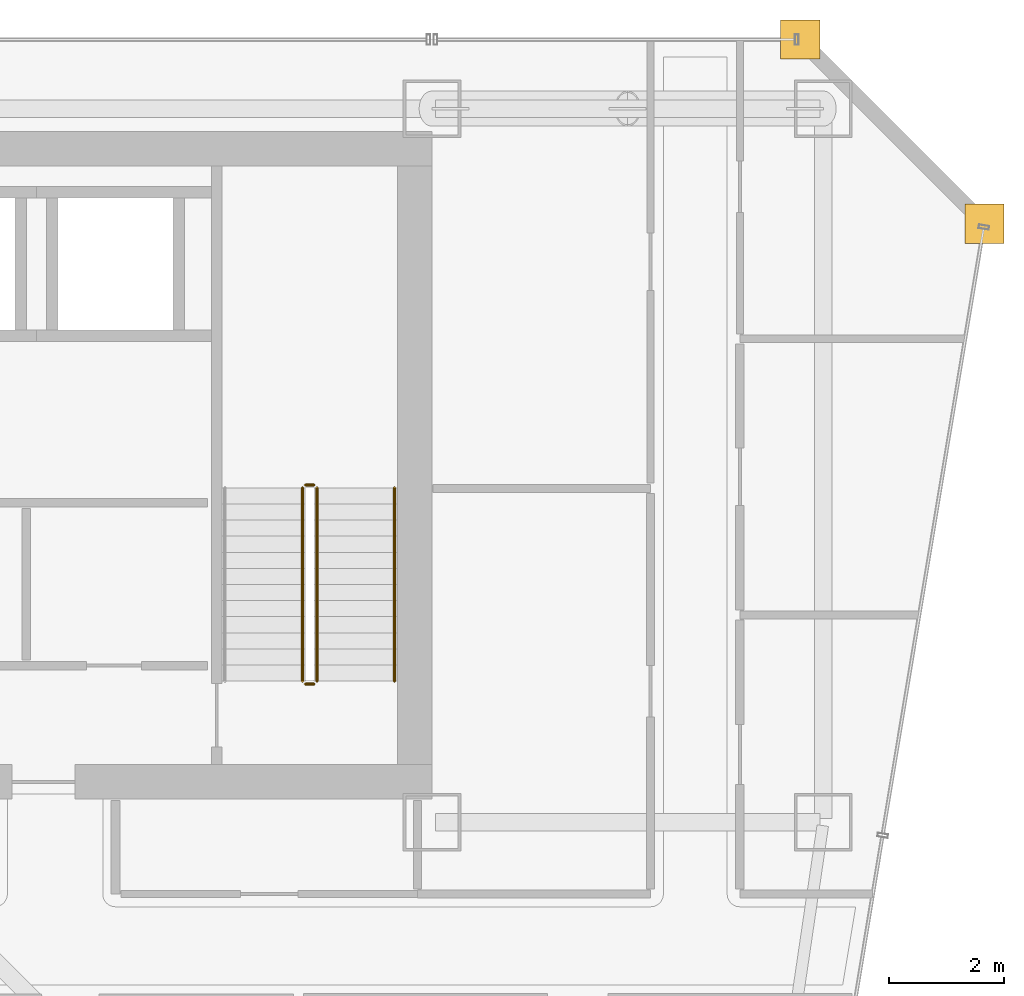
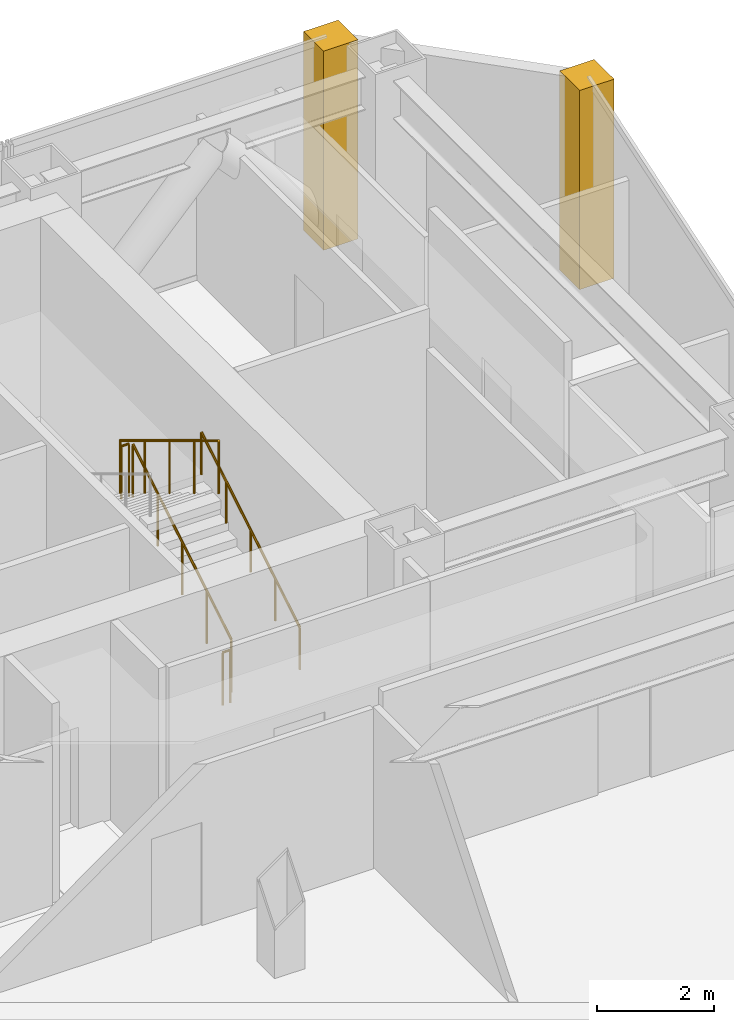
# One storey, part 35 of 35: 5 railings, 2 coverings.
"""IFC4 building model written with IfcOpenShell, lengths in metres."""

from ifc_helpers import new_model, si_unit, direction, frame, origin, origin_2d, place, context, subcontext, project, spatial, polyline, circle, outline, extrude, material, layer, layer_set, type_object, element, save


model = new_model("IFC4")

# Units and contexts
model_context = context("Model", 3, precision=1e-05, world=origin(), true_north=direction((0.0, 1.0)))
body_context = subcontext(model_context, "Body", "Model", "MODEL_VIEW")
ifc_project = project(units=[si_unit("LENGTHUNIT", "METRE"), si_unit("AREAUNIT", "SQUARE_METRE"), si_unit("VOLUMEUNIT", "CUBIC_METRE"), si_unit("PLANEANGLEUNIT", "RADIAN"), si_unit("MASSUNIT", "GRAM", prefix="KILO")], contexts=[model_context])

# Site, building, storey
site_placement = place(None, origin())
site = spatial("IfcSite", under=ifc_project, at=site_placement, CompositionType="ELEMENT")
building_placement = place(site_placement, origin())
building = spatial("IfcBuilding", under=site, at=building_placement, Name="Saevonmaru Cultural Tower", CompositionType="ELEMENT")
storey_placement = place(building_placement, frame((0.0, 0.0, 101.60009765625)))
storey = spatial("IfcBuildingStorey", under=building, at=storey_placement, Name="L21", CompositionType="ELEMENT", Elevation=101.60009765625)

# Coverings
ifc_material_1 = material(Name="Satin Bronze Anodised Aluminium", Category="aluminium")
ifc_layer = layer(ifc_material_1, 0.679931640625, Name="Satin Bronze Anodised Aluminium")
ifc_layer_set = layer_set([ifc_layer], Name="Satin Bronze Anodised Aluminium")
covering_type = type_object("IfcCoveringType", Name="CV-CORNER-CLAD", PredefinedType="CLADDING", material=ifc_layer_set)
covering_1_placement = place(storey_placement, origin())
element("IfcCovering", 1, at=covering_1_placement, inside=storey, type_object=covering_type, Name="L21 Tower Bronze Corner Cladding Pier 9", PredefinedType="CLADDING", context=body_context, shape_type="SweptSolid", body=[
    extrude(outline(polyline([(55.659912109375, 52.4599609375), (56.340087890625, 52.4599609375), (56.340087890625, 53.139892578125), (55.659912109375, 53.139892578125), (55.659912109375, 52.4599609375)])), origin(), (0.0, 0.0, 1.0), 4.14990234375),
])
covering_2_placement = place(storey_placement, origin())
element("IfcCovering", 2, at=covering_2_placement, inside=storey, type_object=covering_type, Name="L21 Tower Bronze Corner Cladding Pier 10", PredefinedType="CLADDING", context=body_context, shape_type="SweptSolid", body=[
    extrude(outline(polyline([(52.4599609375, 55.659912109375), (53.139892578125, 55.659912109375), (53.139892578125, 56.340087890625), (52.4599609375, 56.340087890625), (52.4599609375, 55.659912109375)])), origin(), (0.0, 0.0, 1.0), 4.14990234375),
])

# Railings
ifc_material_2 = material(Name="Architectural Painted Steel", Category="steel")
railing_type_1 = type_object("IfcRailingType", Name="RL-STAIR-GUARD", PredefinedType="GUARDRAIL", material=ifc_material_2)
railing_1_placement = place(storey_placement, frame((44.39990234375, 44.85009765625, 0.169189453125)))
element("IfcRailing", 3, at=railing_1_placement, inside=storey, type_object=railing_type_1, Name="L21 ST-2 stair guard 1", PredefinedType="GUARDRAIL", context=body_context, shape_type="SweptSolid", body=[
    extrude(circle(Radius=0.02392578125, at=origin_2d()), frame((0.0, 0.0, 1.09619140625), z_axis=(0.0, 0.855820338506, 0.51727318527), x_axis=(-1.0, 0.0, 0.0)), (0.0, 0.0, 1.0), 3.92578125),
    extrude(circle(Radius=0.02099609375, at=origin_2d()), origin(), (0.0, 0.0, 1.0), 1.072021484375),
    extrude(circle(Radius=0.02099609375, at=origin_2d()), frame((0.0, 0.83984375, 0.5078125)), (0.0, 0.0, 1.0), 1.072021484375),
    extrude(circle(Radius=0.02099609375, at=origin_2d()), frame((0.0, 1.679931640625, 1.015380859375)), (0.0, 0.0, 1.0), 1.072021484375),
    extrude(circle(Radius=0.02099609375, at=origin_2d()), frame((0.0, 2.52001953125, 1.52294921875)), (0.0, 0.0, 1.0), 1.072021484375),
    extrude(circle(Radius=0.02099609375, at=origin_2d()), frame((0.0, 3.35986328125, 2.03076171875)), (0.0, 0.0, 1.0), 1.072021484375),
])
railing_2_placement = place(storey_placement, frame((44.35009765625, 48.260009765625, 2.199951171875)))
element("IfcRailing", 4, at=railing_2_placement, inside=storey, type_object=railing_type_1, Name="L21 ST-2 stair guard 2", PredefinedType="GUARDRAIL", context=body_context, shape_type="SweptSolid", body=[
    extrude(circle(Radius=0.02392578125, at=origin_2d()), frame((0.0, 0.0, 1.09619140625), z_axis=(-1.0, 0.0, 0.0), x_axis=(0.0, -1.0, 0.0)), (0.0, 0.0, 1.0), 0.150146484375),
    extrude(circle(Radius=0.02099609375, at=origin_2d()), origin(), (0.0, 0.0, 1.0), 1.072021484375),
    extrude(circle(Radius=0.02099609375, at=origin_2d()), frame((-0.150146484375, 0.0, 0.0)), (0.0, 0.0, 1.0), 1.072021484375),
])
railing_3_placement = place(storey_placement, frame((44.14990234375, 48.2099609375, 2.369140625)))
element("IfcRailing", 5, at=railing_3_placement, inside=storey, type_object=railing_type_1, Name="L21 ST-2 stair guard 3", PredefinedType="GUARDRAIL", context=body_context, shape_type="SweptSolid", body=[
    extrude(circle(Radius=0.02392578125, at=origin_2d()), frame((0.0, 0.0, 1.09619140625), z_axis=(0.0, -0.855820338506, 0.51727318527), x_axis=(1.0, 0.0, 0.0)), (0.0, 0.0, 1.0), 3.92578125),
    extrude(circle(Radius=0.02099609375, at=origin_2d()), origin(), (0.0, 0.0, 1.0), 1.072021484375),
    extrude(circle(Radius=0.02099609375, at=origin_2d()), frame((0.0, -0.83984375, 0.5078125)), (0.0, 0.0, 1.0), 1.072021484375),
    extrude(circle(Radius=0.02099609375, at=origin_2d()), frame((0.0, -1.679931640625, 1.015380859375)), (0.0, 0.0, 1.0), 1.072021484375),
    extrude(circle(Radius=0.02099609375, at=origin_2d()), frame((0.0, -2.52001953125, 1.52294921875)), (0.0, 0.0, 1.0), 1.072021484375),
    extrude(circle(Radius=0.02099609375, at=origin_2d()), frame((0.0, -3.35986328125, 2.03076171875)), (0.0, 0.0, 1.0), 1.072021484375),
])
railing_4_placement = place(storey_placement, frame((44.35009765625, 44.800048828125, 0.0)))
element("IfcRailing", 6, at=railing_4_placement, inside=storey, type_object=railing_type_1, Name="L21 ST-2 stair guard 4", PredefinedType="GUARDRAIL", context=body_context, shape_type="SweptSolid", body=[
    extrude(circle(Radius=0.02392578125, at=origin_2d()), frame((0.0, 0.0, 1.09619140625), z_axis=(-1.0, 0.0, 0.0), x_axis=(0.0, -1.0, 0.0)), (0.0, 0.0, 1.0), 0.150146484375),
    extrude(circle(Radius=0.02099609375, at=origin_2d()), origin(), (0.0, 0.0, 1.0), 1.072021484375),
    extrude(circle(Radius=0.02099609375, at=origin_2d()), frame((-0.150146484375, 0.0, 0.0)), (0.0, 0.0, 1.0), 1.072021484375),
])
railing_type_2 = type_object("IfcRailingType", Name="RL-STAIR-HANDRAIL", PredefinedType="HANDRAIL", material=ifc_material_1)
railing_5_placement = place(storey_placement, frame((45.75, 44.85009765625, 0.169189453125)))
element("IfcRailing", 7, at=railing_5_placement, inside=storey, type_object=railing_type_2, Name="L21 ST-2 stair handrail 1", PredefinedType="HANDRAIL", context=body_context, shape_type="SweptSolid", body=[
    extrude(circle(Radius=0.02392578125, at=origin_2d()), frame((0.0, 0.0, 0.8759765625), z_axis=(0.0, 0.855820338506, 0.51727318527), x_axis=(-1.0, 0.0, 0.0)), (0.0, 0.0, 1.0), 3.92578125),
    extrude(circle(Radius=0.02099609375, at=origin_2d()), origin(), (0.0, 0.0, 1.0), 0.851806640625),
    extrude(circle(Radius=0.02099609375, at=origin_2d()), frame((0.0, 0.83984375, 0.5078125)), (0.0, 0.0, 1.0), 0.851806640625),
    extrude(circle(Radius=0.02099609375, at=origin_2d()), frame((0.0, 1.679931640625, 1.015380859375)), (0.0, 0.0, 1.0), 0.851806640625),
    extrude(circle(Radius=0.02099609375, at=origin_2d()), frame((0.0, 2.52001953125, 1.52294921875)), (0.0, 0.0, 1.0), 0.851806640625),
    extrude(circle(Radius=0.02099609375, at=origin_2d()), frame((0.0, 3.35986328125, 2.03076171875)), (0.0, 0.0, 1.0), 0.851806640625),
])

save(model, "model.ifc")
